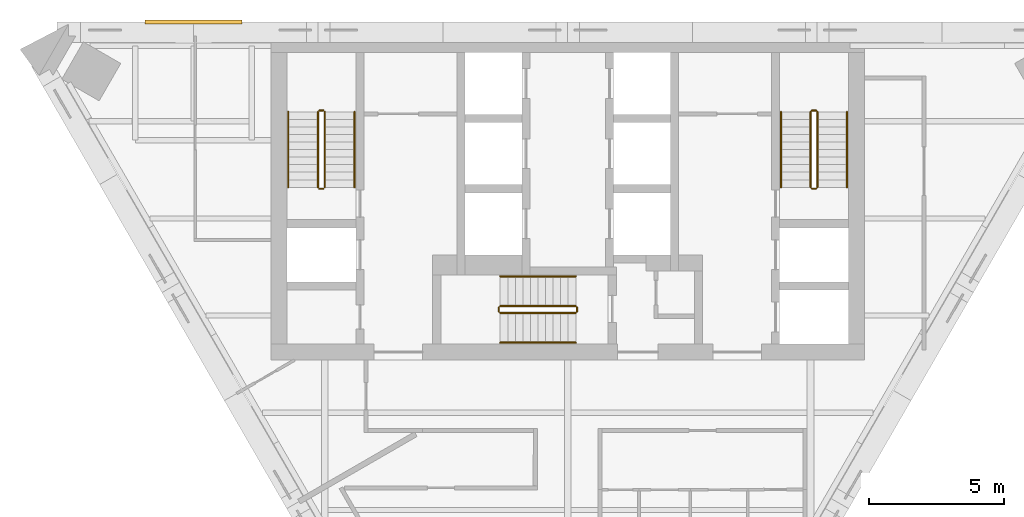
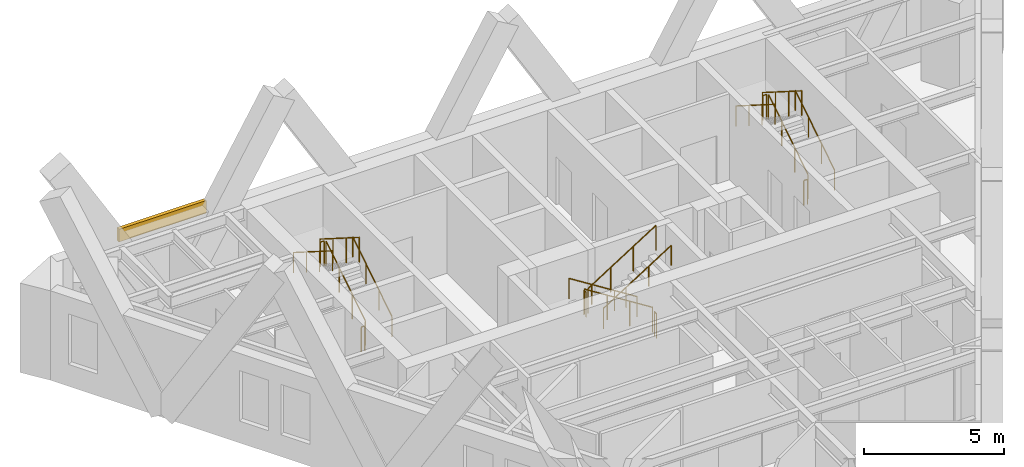
# One storey, part 7 of 7: 18 railings, 1 covering.
"""IFC4 building model written with IfcOpenShell, lengths in metres."""

from ifc_helpers import new_model, si_unit, direction, frame, origin, origin_2d, place, context, subcontext, project, spatial, polyline, circle, outline, extrude, material, layer, layer_set, type_object, element, save


model = new_model("IFC4")

# Units and contexts
model_context = context("Model", 3, precision=1e-05, world=origin(), true_north=direction((0.0, 1.0)))
body_context = subcontext(model_context, "Body", "Model", "MODEL_VIEW")
ifc_project = project(units=[si_unit("LENGTHUNIT", "METRE"), si_unit("AREAUNIT", "SQUARE_METRE"), si_unit("VOLUMEUNIT", "CUBIC_METRE"), si_unit("PLANEANGLEUNIT", "RADIAN"), si_unit("MASSUNIT", "GRAM", prefix="KILO")], contexts=[model_context])

# Site, building, storey
site_placement = place(None, origin())
site = spatial("IfcSite", under=ifc_project, at=site_placement, CompositionType="ELEMENT")
building_placement = place(site_placement, origin())
building = spatial("IfcBuilding", under=site, at=building_placement, Name="Aloe Facet Convention Tower", CompositionType="ELEMENT")
storey_placement = place(building_placement, frame((0.0, 0.0, 246.5)))
storey = spatial("IfcBuildingStorey", under=building, at=storey_placement, Name="L60", CompositionType="ELEMENT", Elevation=246.5)

# Railings
ifc_material_1 = material(Name="Steel S355 balustrade", Category="steel")
railing_type_1 = type_object("IfcRailingType", Name="CR-RL-GUARD", PredefinedType="GUARDRAIL", material=ifc_material_1)
railing_1_placement = place(storey_placement, frame((71.0, 128.949951171875, 0.17724609375)))
element("IfcRailing", 1, at=railing_1_placement, inside=storey, type_object=railing_type_1, Name="L60 ST1 stair guard 1", PredefinedType="GUARDRAIL", context=body_context, shape_type="SweptSolid", body=[
    extrude(circle(Radius=0.02392578125, at=origin_2d()), frame((0.0, 0.0, 1.076171875), z_axis=(0.0, 0.844908973607, 0.534910110503), x_axis=(-1.0, 0.0, 0.0)), (0.0, 0.0, 1.0), 3.31396484375),
    extrude(circle(Radius=0.02099609375, at=origin_2d()), origin(), (0.0, 0.0, 1.0), 1.052001953125),
    extrude(circle(Radius=0.02099609375, at=origin_2d()), frame((0.0, 0.933349609375, 0.5908203125)), (0.0, 0.0, 1.0), 1.052001953125),
    extrude(circle(Radius=0.02099609375, at=origin_2d()), frame((0.0, 1.86669921875, 1.181884765625)), (0.0, 0.0, 1.0), 1.052001953125),
    extrude(circle(Radius=0.02099609375, at=origin_2d()), frame((0.0, 2.800048828125, 1.772705078125)), (0.0, 0.0, 1.0), 1.052001953125),
])
railing_2_placement = place(storey_placement, frame((70.949951171875, 131.800048828125, 1.949951171875)))
element("IfcRailing", 2, at=railing_2_placement, inside=storey, type_object=railing_type_1, Name="L60 ST1 stair guard 2", PredefinedType="GUARDRAIL", context=body_context, shape_type="SweptSolid", body=[
    extrude(circle(Radius=0.02392578125, at=origin_2d()), frame((0.0, 0.0, 1.076171875), z_axis=(-1.0, 0.0, 0.0), x_axis=(0.0, -1.0, 0.0)), (0.0, 0.0, 1.0), 0.14990234375),
    extrude(circle(Radius=0.02099609375, at=origin_2d()), origin(), (0.0, 0.0, 1.0), 1.052001953125),
    extrude(circle(Radius=0.02099609375, at=origin_2d()), frame((-0.14990234375, 0.0, 0.0)), (0.0, 0.0, 1.0), 1.052001953125),
])
railing_3_placement = place(storey_placement, frame((70.75, 131.75, 2.127197265625)))
element("IfcRailing", 3, at=railing_3_placement, inside=storey, type_object=railing_type_1, Name="L60 ST1 stair guard 3", PredefinedType="GUARDRAIL", context=body_context, shape_type="SweptSolid", body=[
    extrude(circle(Radius=0.02392578125, at=origin_2d()), frame((0.0, 0.0, 1.076171875), z_axis=(0.0, -0.844908973607, 0.534910110503), x_axis=(1.0, 0.0, 0.0)), (0.0, 0.0, 1.0), 3.31396484375),
    extrude(circle(Radius=0.02099609375, at=origin_2d()), origin(), (0.0, 0.0, 1.0), 1.052001953125),
    extrude(circle(Radius=0.02099609375, at=origin_2d()), frame((0.0, -0.933349609375, 0.5908203125)), (0.0, 0.0, 1.0), 1.052001953125),
    extrude(circle(Radius=0.02099609375, at=origin_2d()), frame((0.0, -1.86669921875, 1.181884765625)), (0.0, 0.0, 1.0), 1.052001953125),
    extrude(circle(Radius=0.02099609375, at=origin_2d()), frame((0.0, -2.800048828125, 1.772705078125)), (0.0, 0.0, 1.0), 1.052001953125),
])
railing_4_placement = place(storey_placement, frame((70.949951171875, 128.89990234375, 0.0)))
element("IfcRailing", 4, at=railing_4_placement, inside=storey, type_object=railing_type_1, Name="L60 ST1 stair guard 4", PredefinedType="GUARDRAIL", context=body_context, shape_type="SweptSolid", body=[
    extrude(circle(Radius=0.02392578125, at=origin_2d()), frame((0.0, 0.0, 1.076171875), z_axis=(-1.0, 0.0, 0.0), x_axis=(0.0, -1.0, 0.0)), (0.0, 0.0, 1.0), 0.14990234375),
    extrude(circle(Radius=0.02099609375, at=origin_2d()), origin(), (0.0, 0.0, 1.0), 1.052001953125),
    extrude(circle(Radius=0.02099609375, at=origin_2d()), frame((-0.14990234375, 0.0, 0.0)), (0.0, 0.0, 1.0), 1.052001953125),
])
railing_5_placement = place(storey_placement, frame((89.25, 128.949951171875, 0.17724609375)))
element("IfcRailing", 5, at=railing_5_placement, inside=storey, type_object=railing_type_1, Name="L60 ST2 stair guard 1", PredefinedType="GUARDRAIL", context=body_context, shape_type="SweptSolid", body=[
    extrude(circle(Radius=0.02392578125, at=origin_2d()), frame((0.0, 0.0, 1.076171875), z_axis=(0.0, 0.844908973607, 0.534910110503), x_axis=(-1.0, 0.0, 0.0)), (0.0, 0.0, 1.0), 3.31396484375),
    extrude(circle(Radius=0.02099609375, at=origin_2d()), origin(), (0.0, 0.0, 1.0), 1.052001953125),
    extrude(circle(Radius=0.02099609375, at=origin_2d()), frame((0.0, 0.933349609375, 0.5908203125)), (0.0, 0.0, 1.0), 1.052001953125),
    extrude(circle(Radius=0.02099609375, at=origin_2d()), frame((0.0, 1.86669921875, 1.181884765625)), (0.0, 0.0, 1.0), 1.052001953125),
    extrude(circle(Radius=0.02099609375, at=origin_2d()), frame((0.0, 2.800048828125, 1.772705078125)), (0.0, 0.0, 1.0), 1.052001953125),
])
railing_6_placement = place(storey_placement, frame((89.199951171875, 131.800048828125, 1.949951171875)))
element("IfcRailing", 6, at=railing_6_placement, inside=storey, type_object=railing_type_1, Name="L60 ST2 stair guard 2", PredefinedType="GUARDRAIL", context=body_context, shape_type="SweptSolid", body=[
    extrude(circle(Radius=0.02392578125, at=origin_2d()), frame((0.0, 0.0, 1.076171875), z_axis=(-1.0, 0.0, 0.0), x_axis=(0.0, -1.0, 0.0)), (0.0, 0.0, 1.0), 0.14990234375),
    extrude(circle(Radius=0.02099609375, at=origin_2d()), origin(), (0.0, 0.0, 1.0), 1.052001953125),
    extrude(circle(Radius=0.02099609375, at=origin_2d()), frame((-0.14990234375, 0.0, 0.0)), (0.0, 0.0, 1.0), 1.052001953125),
])
railing_7_placement = place(storey_placement, frame((89.0, 131.75, 2.127197265625)))
element("IfcRailing", 7, at=railing_7_placement, inside=storey, type_object=railing_type_1, Name="L60 ST2 stair guard 3", PredefinedType="GUARDRAIL", context=body_context, shape_type="SweptSolid", body=[
    extrude(circle(Radius=0.02392578125, at=origin_2d()), frame((0.0, 0.0, 1.076171875), z_axis=(0.0, -0.844908973607, 0.534910110503), x_axis=(1.0, 0.0, 0.0)), (0.0, 0.0, 1.0), 3.31396484375),
    extrude(circle(Radius=0.02099609375, at=origin_2d()), origin(), (0.0, 0.0, 1.0), 1.052001953125),
    extrude(circle(Radius=0.02099609375, at=origin_2d()), frame((0.0, -0.933349609375, 0.5908203125)), (0.0, 0.0, 1.0), 1.052001953125),
    extrude(circle(Radius=0.02099609375, at=origin_2d()), frame((0.0, -1.86669921875, 1.181884765625)), (0.0, 0.0, 1.0), 1.052001953125),
    extrude(circle(Radius=0.02099609375, at=origin_2d()), frame((0.0, -2.800048828125, 1.772705078125)), (0.0, 0.0, 1.0), 1.052001953125),
])
railing_8_placement = place(storey_placement, frame((89.199951171875, 128.89990234375, 0.0)))
element("IfcRailing", 8, at=railing_8_placement, inside=storey, type_object=railing_type_1, Name="L60 ST2 stair guard 4", PredefinedType="GUARDRAIL", context=body_context, shape_type="SweptSolid", body=[
    extrude(circle(Radius=0.02392578125, at=origin_2d()), frame((0.0, 0.0, 1.076171875), z_axis=(-1.0, 0.0, 0.0), x_axis=(0.0, -1.0, 0.0)), (0.0, 0.0, 1.0), 0.14990234375),
    extrude(circle(Radius=0.02099609375, at=origin_2d()), origin(), (0.0, 0.0, 1.0), 1.052001953125),
    extrude(circle(Radius=0.02099609375, at=origin_2d()), frame((-0.14990234375, 0.0, 0.0)), (0.0, 0.0, 1.0), 1.052001953125),
])
railing_9_placement = place(storey_placement, frame((80.300048828125, 124.550048828125, 0.17724609375)))
element("IfcRailing", 9, at=railing_9_placement, inside=storey, type_object=railing_type_1, Name="L60 ST3 stair guard 1", PredefinedType="GUARDRAIL", context=body_context, shape_type="SweptSolid", body=[
    extrude(circle(Radius=0.02392578125, at=origin_2d()), frame((0.0, 0.0, 1.076171875), z_axis=(-0.844908973607, 0.0, 0.534910110503), x_axis=(0.0, -1.0, 0.0)), (0.0, 0.0, 1.0), 3.31396484375),
    extrude(circle(Radius=0.02099609375, at=origin_2d()), origin(), (0.0, 0.0, 1.0), 1.052001953125),
    extrude(circle(Radius=0.02099609375, at=origin_2d()), frame((-0.933349609375, 0.0, 0.5908203125)), (0.0, 0.0, 1.0), 1.052001953125),
    extrude(circle(Radius=0.02099609375, at=origin_2d()), frame((-1.86669921875, 0.0, 1.181884765625)), (0.0, 0.0, 1.0), 1.052001953125),
    extrude(circle(Radius=0.02099609375, at=origin_2d()), frame((-2.800048828125, 0.0, 1.772705078125)), (0.0, 0.0, 1.0), 1.052001953125),
])
railing_10_placement = place(storey_placement, frame((77.449951171875, 124.5, 1.949951171875)))
element("IfcRailing", 10, at=railing_10_placement, inside=storey, type_object=railing_type_1, Name="L60 ST3 stair guard 2", PredefinedType="GUARDRAIL", context=body_context, shape_type="SweptSolid", body=[
    extrude(circle(Radius=0.02392578125, at=origin_2d()), frame((0.0, 0.0, 1.076171875), z_axis=(0.0, -1.0, 0.0), x_axis=(1.0, 0.0, 0.0)), (0.0, 0.0, 1.0), 0.14990234375),
    extrude(circle(Radius=0.02099609375, at=origin_2d()), origin(), (0.0, 0.0, 1.0), 1.052001953125),
    extrude(circle(Radius=0.02099609375, at=origin_2d()), frame((0.0, -0.14990234375, 0.0)), (0.0, 0.0, 1.0), 1.052001953125),
])
railing_11_placement = place(storey_placement, frame((77.5, 124.300048828125, 2.127197265625)))
element("IfcRailing", 11, at=railing_11_placement, inside=storey, type_object=railing_type_1, Name="L60 ST3 stair guard 3", PredefinedType="GUARDRAIL", context=body_context, shape_type="SweptSolid", body=[
    extrude(circle(Radius=0.02392578125, at=origin_2d()), frame((0.0, 0.0, 1.076171875), z_axis=(0.844908973607, 0.0, 0.534910110503), x_axis=(0.0, 1.0, 0.0)), (0.0, 0.0, 1.0), 3.31396484375),
    extrude(circle(Radius=0.02099609375, at=origin_2d()), origin(), (0.0, 0.0, 1.0), 1.052001953125),
    extrude(circle(Radius=0.02099609375, at=origin_2d()), frame((0.933349609375, 0.0, 0.5908203125)), (0.0, 0.0, 1.0), 1.052001953125),
    extrude(circle(Radius=0.02099609375, at=origin_2d()), frame((1.86669921875, 0.0, 1.181884765625)), (0.0, 0.0, 1.0), 1.052001953125),
    extrude(circle(Radius=0.02099609375, at=origin_2d()), frame((2.800048828125, 0.0, 1.772705078125)), (0.0, 0.0, 1.0), 1.052001953125),
])
railing_12_placement = place(storey_placement, frame((80.35009765625, 124.5, 0.0)))
element("IfcRailing", 12, at=railing_12_placement, inside=storey, type_object=railing_type_1, Name="L60 ST3 stair guard 4", PredefinedType="GUARDRAIL", context=body_context, shape_type="SweptSolid", body=[
    extrude(circle(Radius=0.02392578125, at=origin_2d()), frame((0.0, 0.0, 1.076171875), z_axis=(0.0, -1.0, 0.0), x_axis=(1.0, 0.0, 0.0)), (0.0, 0.0, 1.0), 0.14990234375),
    extrude(circle(Radius=0.02099609375, at=origin_2d()), origin(), (0.0, 0.0, 1.0), 1.052001953125),
    extrude(circle(Radius=0.02099609375, at=origin_2d()), frame((0.0, -0.14990234375, 0.0)), (0.0, 0.0, 1.0), 1.052001953125),
])
ifc_material_2 = material(Name="Steel S355 handrail", Category="steel")
railing_type_2 = type_object("IfcRailingType", Name="CR-RL-HAND", PredefinedType="HANDRAIL", material=ifc_material_2)
railing_13_placement = place(storey_placement, frame((72.10009765625, 128.949951171875, 0.17724609375)))
element("IfcRailing", 13, at=railing_13_placement, inside=storey, type_object=railing_type_2, Name="L60 ST1 stair handrail 1", PredefinedType="HANDRAIL", context=body_context, shape_type="SweptSolid", body=[
    extrude(circle(Radius=0.02392578125, at=origin_2d()), frame((0.0, 0.0, 0.8759765625), z_axis=(0.0, 0.844908973607, 0.534910110503), x_axis=(-1.0, 0.0, 0.0)), (0.0, 0.0, 1.0), 3.31396484375),
    extrude(circle(Radius=0.02099609375, at=origin_2d()), origin(), (0.0, 0.0, 1.0), 0.851806640625),
    extrude(circle(Radius=0.02099609375, at=origin_2d()), frame((0.0, 0.933349609375, 0.5908203125)), (0.0, 0.0, 1.0), 0.851806640625),
    extrude(circle(Radius=0.02099609375, at=origin_2d()), frame((0.0, 1.86669921875, 1.181884765625)), (0.0, 0.0, 1.0), 0.851806640625),
    extrude(circle(Radius=0.02099609375, at=origin_2d()), frame((0.0, 2.800048828125, 1.772705078125)), (0.0, 0.0, 1.0), 0.851806640625),
])
railing_14_placement = place(storey_placement, frame((69.64990234375, 131.75, 2.127197265625)))
element("IfcRailing", 14, at=railing_14_placement, inside=storey, type_object=railing_type_2, Name="L60 ST1 stair handrail 2", PredefinedType="HANDRAIL", context=body_context, shape_type="SweptSolid", body=[
    extrude(circle(Radius=0.02392578125, at=origin_2d()), frame((0.0, 0.0, 0.8759765625), z_axis=(0.0, -0.844908973607, 0.534910110503), x_axis=(1.0, 0.0, 0.0)), (0.0, 0.0, 1.0), 3.31396484375),
    extrude(circle(Radius=0.02099609375, at=origin_2d()), origin(), (0.0, 0.0, 1.0), 0.851806640625),
    extrude(circle(Radius=0.02099609375, at=origin_2d()), frame((0.0, -0.933349609375, 0.5908203125)), (0.0, 0.0, 1.0), 0.851806640625),
    extrude(circle(Radius=0.02099609375, at=origin_2d()), frame((0.0, -1.86669921875, 1.181884765625)), (0.0, 0.0, 1.0), 0.851806640625),
    extrude(circle(Radius=0.02099609375, at=origin_2d()), frame((0.0, -2.800048828125, 1.772705078125)), (0.0, 0.0, 1.0), 0.851806640625),
])
railing_15_placement = place(storey_placement, frame((90.35009765625, 128.949951171875, 0.17724609375)))
element("IfcRailing", 15, at=railing_15_placement, inside=storey, type_object=railing_type_2, Name="L60 ST2 stair handrail 1", PredefinedType="HANDRAIL", context=body_context, shape_type="SweptSolid", body=[
    extrude(circle(Radius=0.02392578125, at=origin_2d()), frame((0.0, 0.0, 0.8759765625), z_axis=(0.0, 0.844908973607, 0.534910110503), x_axis=(-1.0, 0.0, 0.0)), (0.0, 0.0, 1.0), 3.31396484375),
    extrude(circle(Radius=0.02099609375, at=origin_2d()), origin(), (0.0, 0.0, 1.0), 0.851806640625),
    extrude(circle(Radius=0.02099609375, at=origin_2d()), frame((0.0, 0.933349609375, 0.5908203125)), (0.0, 0.0, 1.0), 0.851806640625),
    extrude(circle(Radius=0.02099609375, at=origin_2d()), frame((0.0, 1.86669921875, 1.181884765625)), (0.0, 0.0, 1.0), 0.851806640625),
    extrude(circle(Radius=0.02099609375, at=origin_2d()), frame((0.0, 2.800048828125, 1.772705078125)), (0.0, 0.0, 1.0), 0.851806640625),
])
railing_16_placement = place(storey_placement, frame((87.89990234375, 131.75, 2.127197265625)))
element("IfcRailing", 16, at=railing_16_placement, inside=storey, type_object=railing_type_2, Name="L60 ST2 stair handrail 2", PredefinedType="HANDRAIL", context=body_context, shape_type="SweptSolid", body=[
    extrude(circle(Radius=0.02392578125, at=origin_2d()), frame((0.0, 0.0, 0.8759765625), z_axis=(0.0, -0.844908973607, 0.534910110503), x_axis=(1.0, 0.0, 0.0)), (0.0, 0.0, 1.0), 3.31396484375),
    extrude(circle(Radius=0.02099609375, at=origin_2d()), origin(), (0.0, 0.0, 1.0), 0.851806640625),
    extrude(circle(Radius=0.02099609375, at=origin_2d()), frame((0.0, -0.933349609375, 0.5908203125)), (0.0, 0.0, 1.0), 0.851806640625),
    extrude(circle(Radius=0.02099609375, at=origin_2d()), frame((0.0, -1.86669921875, 1.181884765625)), (0.0, 0.0, 1.0), 0.851806640625),
    extrude(circle(Radius=0.02099609375, at=origin_2d()), frame((0.0, -2.800048828125, 1.772705078125)), (0.0, 0.0, 1.0), 0.851806640625),
])
railing_17_placement = place(storey_placement, frame((80.300048828125, 125.64990234375, 0.17724609375)))
element("IfcRailing", 17, at=railing_17_placement, inside=storey, type_object=railing_type_2, Name="L60 ST3 stair handrail 1", PredefinedType="HANDRAIL", context=body_context, shape_type="SweptSolid", body=[
    extrude(circle(Radius=0.02392578125, at=origin_2d()), frame((0.0, 0.0, 0.8759765625), z_axis=(-0.844908973607, 0.0, 0.534910110503), x_axis=(0.0, -1.0, 0.0)), (0.0, 0.0, 1.0), 3.31396484375),
    extrude(circle(Radius=0.02099609375, at=origin_2d()), origin(), (0.0, 0.0, 1.0), 0.851806640625),
    extrude(circle(Radius=0.02099609375, at=origin_2d()), frame((-0.933349609375, 0.0, 0.5908203125)), (0.0, 0.0, 1.0), 0.851806640625),
    extrude(circle(Radius=0.02099609375, at=origin_2d()), frame((-1.86669921875, 0.0, 1.181884765625)), (0.0, 0.0, 1.0), 0.851806640625),
    extrude(circle(Radius=0.02099609375, at=origin_2d()), frame((-2.800048828125, 0.0, 1.772705078125)), (0.0, 0.0, 1.0), 0.851806640625),
])
railing_18_placement = place(storey_placement, frame((77.5, 123.199951171875, 2.127197265625)))
element("IfcRailing", 18, at=railing_18_placement, inside=storey, type_object=railing_type_2, Name="L60 ST3 stair handrail 2", PredefinedType="HANDRAIL", context=body_context, shape_type="SweptSolid", body=[
    extrude(circle(Radius=0.02392578125, at=origin_2d()), frame((0.0, 0.0, 0.8759765625), z_axis=(0.844908973607, 0.0, 0.534910110503), x_axis=(0.0, 1.0, 0.0)), (0.0, 0.0, 1.0), 3.31396484375),
    extrude(circle(Radius=0.02099609375, at=origin_2d()), origin(), (0.0, 0.0, 1.0), 0.851806640625),
    extrude(circle(Radius=0.02099609375, at=origin_2d()), frame((0.933349609375, 0.0, 0.5908203125)), (0.0, 0.0, 1.0), 0.851806640625),
    extrude(circle(Radius=0.02099609375, at=origin_2d()), frame((1.86669921875, 0.0, 1.181884765625)), (0.0, 0.0, 1.0), 0.851806640625),
    extrude(circle(Radius=0.02099609375, at=origin_2d()), frame((2.800048828125, 0.0, 1.772705078125)), (0.0, 0.0, 1.0), 0.851806640625),
])

# Covering
ifc_material_3 = material(Name="Bronze oxide fascia sheet")
ifc_layer = layer(ifc_material_3, 0.14990234375)
ifc_layer_set = layer_set([ifc_layer], Name="EV-FASCIA-TERR")
covering_type = type_object("IfcCoveringType", Name="EV-FASCIA-TERR", PredefinedType="CLADDING", material=ifc_layer_set)
covering_placement = place(storey_placement, frame((0.0, 0.0, 3.35009765625)))
element("IfcCovering", 19, at=covering_placement, inside=storey, type_object=covering_type, Name="Terrace fascia T13 sill", PredefinedType="CLADDING", context=body_context, shape_type="SweptSolid", body=[
    extrude(outline(polyline([(67.935302734375, 135.14990234375), (64.33544921875, 135.14990234375), (64.33544921875, 135.0), (67.935302734375, 135.0), (67.935302734375, 135.14990234375)])), origin(), (0.0, 0.0, 1.0), 0.5498046875),
])

save(model, "model.ifc")
